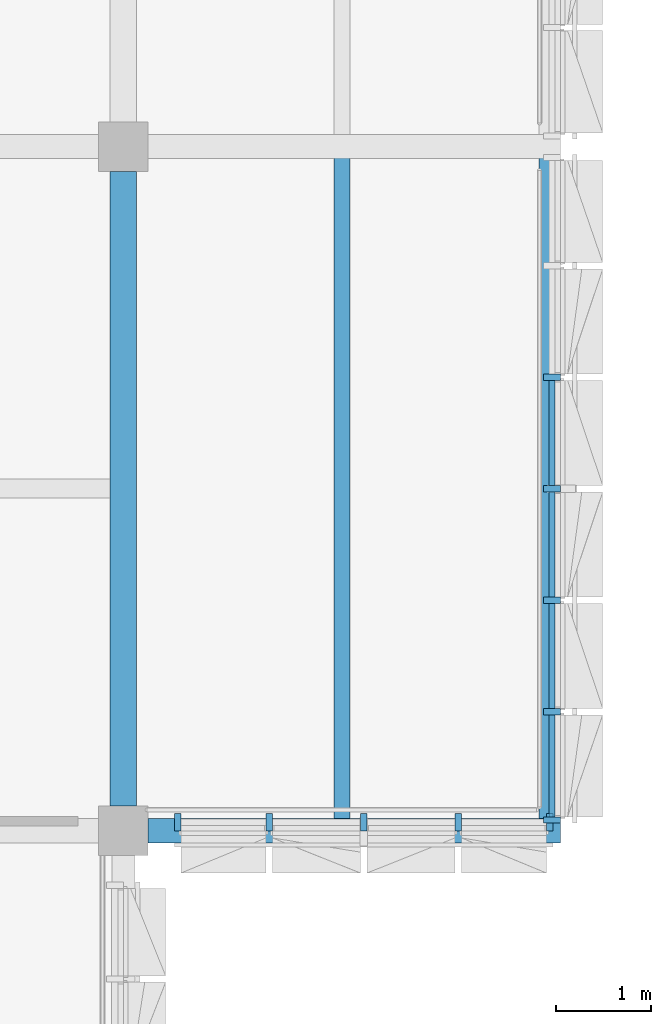
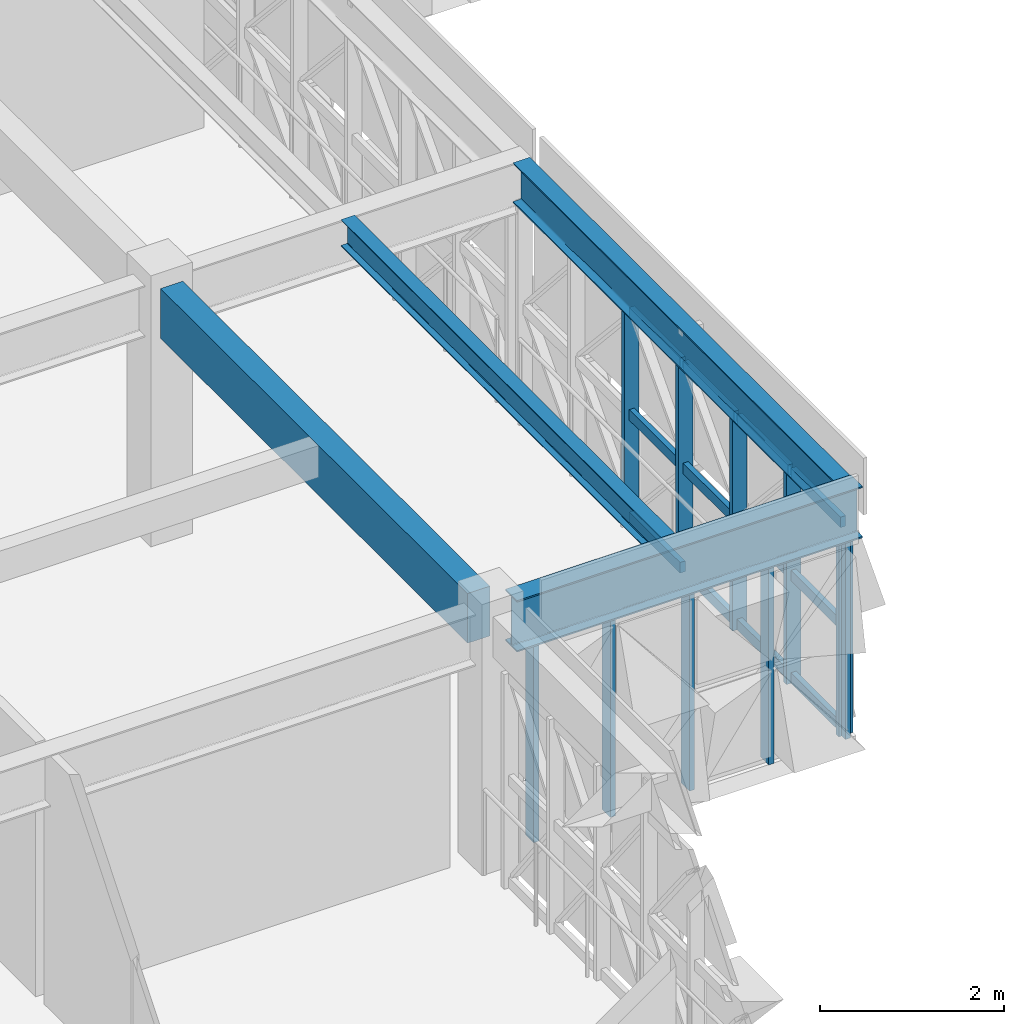
# One storey, part 4 of 48: 22 members, 4 beams, 2 elements without a shape of their own.
"""IFC4 building model written with IfcOpenShell, lengths in metres."""

from ifc_helpers import new_model, si_unit, direction, frame, origin, origin_2d, place, context, subcontext, project, spatial, rectangle, i_section, extrude, material, material_profile, profile_set, type_object, element, aggregate, save


model = new_model("IFC4")

# Units and contexts
model_context = context("Model", 3, precision=1e-05, world=origin(), true_north=direction((0.0, 1.0)))
body_context = subcontext(model_context, "Body", "Model", "MODEL_VIEW")
ifc_project = project(units=[si_unit("LENGTHUNIT", "METRE"), si_unit("AREAUNIT", "SQUARE_METRE"), si_unit("VOLUMEUNIT", "CUBIC_METRE"), si_unit("PLANEANGLEUNIT", "RADIAN"), si_unit("MASSUNIT", "GRAM", prefix="KILO")], contexts=[model_context])

# Site, building, storey
site_placement = place(None, origin())
site = spatial("IfcSite", under=ifc_project, at=site_placement, CompositionType="ELEMENT")
building_placement = place(site_placement, origin())
building = spatial("IfcBuilding", under=site, at=building_placement, Name="Alvorim Cloister Faculty of Sciences", CompositionType="ELEMENT")
storey_placement = place(building_placement, frame((0.0, 0.0, 19.35009765625)))
storey = spatial("IfcBuildingStorey", under=building, at=storey_placement, Name="L05", CompositionType="ELEMENT", Elevation=19.35009765625)

# Beams
ifc_material_1 = material(Name="Glulam GL28h", Category="wood")
ifc_material_profile_1 = material_profile(ifc_material_1, rectangle(XDim=0.280029296875, YDim=0.659912109375, at=origin_2d()), Name="GL28-BM-280x660")
ifc_profile_set_1 = profile_set([ifc_material_profile_1], Name="Glulam GL28h")
beam_type_1 = type_object("IfcBeamType", Name="BM-GL-280x660", PredefinedType="BEAM", material=ifc_profile_set_1)
beam_1_placement = place(storey_placement, frame((28.800048828125, 29.06005859375, 3.059814453125), z_axis=(0.0, 1.0, 0.0), x_axis=(-1.0, 0.0, 0.0)))
element("IfcBeam", 1, at=beam_1_placement, inside=storey, type_object=beam_type_1, Name="L05 Primary Girder BM-2004", PredefinedType="BEAM", context=body_context, shape_type="SweptSolid", body=[
    extrude(rectangle(XDim=0.280029296875, YDim=0.659912109375, at=origin_2d()), origin(), (0.0, 0.0, 1.0), 6.679931640625),
])
ifc_material_2 = material(Name="Steel ASTM A572 Grade 50", Category="steel")
ifc_material_profile_2 = material_profile(ifc_material_2, i_section(OverallWidth=0.1708984375, OverallDepth=0.35498046875, WebThickness=0.007080078125, FlangeThickness=0.01171875, FilletRadius=0.012939453125, at=origin_2d()), Name="W360x51.0")
ifc_profile_set_2 = profile_set([ifc_material_profile_2], Name="Steel ASTM A572 Grade 50")
beam_type_2 = type_object("IfcBeamType", Name="BM-STL-W360", PredefinedType="JOIST", material=ifc_profile_set_2)
beam_2_placement = place(storey_placement, frame((31.10009765625, 28.909912109375, 3.21240234375), z_axis=(0.0, 1.0, 0.0), x_axis=(-1.0, 0.0, 0.0)))
element("IfcBeam", 2, at=beam_2_placement, inside=storey, type_object=beam_type_2, Name="L05 Cantilever Deck Joist BM-0148", PredefinedType="JOIST", context=body_context, shape_type="SweptSolid", body=[
    extrude(i_section(OverallWidth=0.1708984375, OverallDepth=0.35498046875, WebThickness=0.007080078125, FlangeThickness=0.01171875, FilletRadius=0.012939453125, at=origin_2d()), origin(), (0.0, 0.0, 1.0), 6.97998046875),
])
ifc_material_profile_3 = material_profile(ifc_material_2, i_section(OverallWidth=0.208984375, OverallDepth=0.532958984375, WebThickness=0.01025390625, FlangeThickness=0.015625, FilletRadius=0.01611328125, at=origin_2d()), Name="W530x92.0")
ifc_profile_set_3 = profile_set([ifc_material_profile_3], Name="Steel ASTM A572 Grade 50")
beam_type_3 = type_object("IfcBeamType", Name="BM-STL-W530", PredefinedType="BEAM", material=ifc_profile_set_3)
beam_3_placement = place(storey_placement, frame((33.280029296875, 28.909912109375, 3.123291015625), z_axis=(0.0, 1.0, 0.0), x_axis=(-1.0, 0.0, 0.0)))
element("IfcBeam", 3, at=beam_3_placement, inside=storey, type_object=beam_type_3, Name="L05 Cantilever Tip Header Girder BM-0147", PredefinedType="BEAM", context=body_context, shape_type="SweptSolid", body=[
    extrude(i_section(OverallWidth=0.208984375, OverallDepth=0.532958984375, WebThickness=0.01025390625, FlangeThickness=0.015625, FilletRadius=0.01611328125, at=origin_2d()), origin(), (0.0, 0.0, 1.0), 6.97998046875),
])
ifc_material_profile_4 = material_profile(ifc_material_2, i_section(OverallWidth=0.25390625, OverallDepth=0.68408203125, WebThickness=0.012451171875, FlangeThickness=0.01904296875, FilletRadius=0.01904296875, at=origin_2d()), Name="W690x140.0")
ifc_profile_set_4 = profile_set([ifc_material_profile_4], Name="Steel ASTM A572 Grade 50")
beam_type_4 = type_object("IfcBeamType", Name="BM-STL-W690", PredefinedType="BEAM", material=ifc_profile_set_4)
beam_4_placement = place(storey_placement, frame((29.06005859375, 28.800048828125, 3.0478515625), z_axis=(1.0, 0.0, 0.0), x_axis=(0.0, 1.0, 0.0)))
element("IfcBeam", 4, at=beam_4_placement, inside=storey, type_object=beam_type_4, Name="L05 Cantilever Overhang Girder BM-0142", PredefinedType="BEAM", context=body_context, shape_type="SweptSolid", body=[
    extrude(i_section(OverallWidth=0.25390625, OverallDepth=0.68408203125, WebThickness=0.012451171875, FlangeThickness=0.01904296875, FilletRadius=0.01904296875, at=origin_2d()), origin(), (0.0, 0.0, 1.0), 4.33984375),
])

# Curtain wall, members
ifc_material_3 = material(Name="Aluminium and Low-E Glass Curtain Wall", Category="aluminium")
curtain_wall_type_1 = type_object("IfcCurtainWallType", Name="CW-TRI-7040x2857", PredefinedType="USERDEFINED", material=ifc_material_3)
curtain_wall_1_placement = place(storey_placement, origin())
curtain_wall_1 = element("IfcCurtainWall", 5, at=curtain_wall_1_placement, inside=storey, type_object=curtain_wall_type_1, Name="L05 Diagonal Cassette Curtain Wall CW-0233", ObjectType="UNITISED CURTAIN WALL", PredefinedType="USERDEFINED")
ifc_material_4 = material(Name="Aluminium Alloy 6063-T6", Category="aluminium")
ifc_material_profile_5 = material_profile(ifc_material_4, rectangle(XDim=0.06494140625, YDim=0.179931640625, at=origin_2d()), Name="ALU-MUL-65x180")
ifc_profile_set_5 = profile_set([ifc_material_profile_5], Name="Aluminium Alloy 6063-T6")
member_type_1 = type_object("IfcMemberType", Name="CW-MUL-65x180", PredefinedType="MULLION", material=ifc_profile_set_5)
member_1_placement = place(storey_placement, frame((33.31005859375, 28.91259765625, 0.0), z_axis=(0.0, 0.0, 1.0), x_axis=(0.0, 1.0, 0.0)))
member_1 = element("IfcMember", 6, at=member_1_placement, type_object=member_type_1, Name="CW-0233 Mullion 1", PredefinedType="MULLION", context=body_context, shape_type="SweptSolid", body=[
    extrude(rectangle(XDim=0.06494140625, YDim=0.179931640625, at=origin_2d()), origin(), (0.0, 0.0, 1.0), 2.85693359375),
])
member_2_placement = place(storey_placement, frame((33.31005859375, 30.05322265625, 0.0), z_axis=(0.0, 0.0, 1.0), x_axis=(0.0, 1.0, 0.0)))
member_2 = element("IfcMember", 7, at=member_2_placement, type_object=member_type_1, Name="CW-0233 Mullion 2", PredefinedType="MULLION", context=body_context, shape_type="SweptSolid", body=[
    extrude(rectangle(XDim=0.06494140625, YDim=0.179931640625, at=origin_2d()), origin(), (0.0, 0.0, 1.0), 2.85693359375),
])
member_3_placement = place(storey_placement, frame((33.31005859375, 31.226806640625, 0.0), z_axis=(0.0, 0.0, 1.0), x_axis=(0.0, 1.0, 0.0)))
member_3 = element("IfcMember", 8, at=member_3_placement, type_object=member_type_1, Name="CW-0233 Mullion 3", PredefinedType="MULLION", context=body_context, shape_type="SweptSolid", body=[
    extrude(rectangle(XDim=0.06494140625, YDim=0.179931640625, at=origin_2d()), origin(), (0.0, 0.0, 1.0), 2.85693359375),
])
member_4_placement = place(storey_placement, frame((33.31005859375, 32.39990234375, 0.0), z_axis=(0.0, 0.0, 1.0), x_axis=(0.0, 1.0, 0.0)))
member_4 = element("IfcMember", 9, at=member_4_placement, type_object=member_type_1, Name="CW-0233 Mullion 4", PredefinedType="MULLION", context=body_context, shape_type="SweptSolid", body=[
    extrude(rectangle(XDim=0.06494140625, YDim=0.179931640625, at=origin_2d()), origin(), (0.0, 0.0, 1.0), 2.85693359375),
])
member_5_placement = place(storey_placement, frame((33.31005859375, 33.5732421875, 0.0), z_axis=(0.0, 0.0, 1.0), x_axis=(0.0, 1.0, 0.0)))
member_5 = element("IfcMember", 10, at=member_5_placement, type_object=member_type_1, Name="CW-0233 Mullion 5", PredefinedType="MULLION", context=body_context, shape_type="SweptSolid", body=[
    extrude(rectangle(XDim=0.06494140625, YDim=0.179931640625, at=origin_2d()), origin(), (0.0, 0.0, 1.0), 2.85693359375),
])

curtain_wall_type_2 = type_object("IfcCurtainWallType", Name="CW-TRI-3980x2706", PredefinedType="USERDEFINED", material=ifc_material_3)
curtain_wall_2_placement = place(storey_placement, origin())
curtain_wall_2 = element("IfcCurtainWall", 11, at=curtain_wall_2_placement, inside=storey, type_object=curtain_wall_type_2, Name="L05 Diagonal Cassette Curtain Wall CW-0234", ObjectType="UNITISED CURTAIN WALL", PredefinedType="USERDEFINED")
member_6_placement = place(storey_placement, frame((29.37255859375, 28.889892578125, 0.0), z_axis=(0.0, 0.0, 1.0), x_axis=(1.0, 0.0, 0.0)))
member_6 = element("IfcMember", 12, at=member_6_placement, type_object=member_type_1, Name="CW-0234 Mullion 1", PredefinedType="MULLION", context=body_context, shape_type="SweptSolid", body=[
    extrude(rectangle(XDim=0.06494140625, YDim=0.179931640625, at=origin_2d()), origin(), (0.0, 0.0, 1.0), 2.705810546875),
])
member_7_placement = place(storey_placement, frame((30.3349609375, 28.889892578125, 0.0), z_axis=(0.0, 0.0, 1.0), x_axis=(1.0, 0.0, 0.0)))
member_7 = element("IfcMember", 13, at=member_7_placement, type_object=member_type_1, Name="CW-0234 Mullion 2", PredefinedType="MULLION", context=body_context, shape_type="SweptSolid", body=[
    extrude(rectangle(XDim=0.06494140625, YDim=0.179931640625, at=origin_2d()), origin(), (0.0, 0.0, 1.0), 2.705810546875),
])
member_8_placement = place(storey_placement, frame((31.330078125, 28.889892578125, 0.0), z_axis=(0.0, 0.0, 1.0), x_axis=(1.0, 0.0, 0.0)))
member_8 = element("IfcMember", 14, at=member_8_placement, type_object=member_type_1, Name="CW-0234 Mullion 3", PredefinedType="MULLION", context=body_context, shape_type="SweptSolid", body=[
    extrude(rectangle(XDim=0.06494140625, YDim=0.179931640625, at=origin_2d()), origin(), (0.0, 0.0, 1.0), 2.705810546875),
])
member_9_placement = place(storey_placement, frame((32.324951171875, 28.889892578125, 0.0), z_axis=(0.0, 0.0, 1.0), x_axis=(1.0, 0.0, 0.0)))
member_9 = element("IfcMember", 15, at=member_9_placement, type_object=member_type_1, Name="CW-0234 Mullion 4", PredefinedType="MULLION", context=body_context, shape_type="SweptSolid", body=[
    extrude(rectangle(XDim=0.06494140625, YDim=0.179931640625, at=origin_2d()), origin(), (0.0, 0.0, 1.0), 2.705810546875),
])
member_10_placement = place(storey_placement, frame((33.28759765625, 28.889892578125, 0.0), z_axis=(0.0, 0.0, 1.0), x_axis=(1.0, 0.0, 0.0)))
member_10 = element("IfcMember", 16, at=member_10_placement, type_object=member_type_1, Name="CW-0234 Mullion 5", PredefinedType="MULLION", context=body_context, shape_type="SweptSolid", body=[
    extrude(rectangle(XDim=0.06494140625, YDim=0.179931640625, at=origin_2d()), origin(), (0.0, 0.0, 1.0), 2.705810546875),
])
aggregate(curtain_wall_2, [member_6, member_7, member_8, member_9, member_10])

# Member
ifc_material_profile_6 = material_profile(ifc_material_4, rectangle(XDim=0.06494140625, YDim=0.139892578125, at=origin_2d()), Name="ALU-TRN-65x140")
ifc_profile_set_6 = profile_set([ifc_material_profile_6], Name="Aluminium Alloy 6063-T6")
member_type_2 = type_object("IfcMemberType", Name="CW-TRN-65x140", PredefinedType="USERDEFINED", material=ifc_profile_set_6)
member_11_placement = place(storey_placement, frame((33.31005859375, 28.945068359375, 0.06982421875), z_axis=(0.0, 1.0, 0.0), x_axis=(-1.0, 0.0, 0.0)))
member_11 = element("IfcMember", 17, at=member_11_placement, type_object=member_type_2, Name="CW-0233 Transom 1.1", ObjectType="TRANSOM", PredefinedType="USERDEFINED", context=body_context, shape_type="SweptSolid", body=[
    extrude(rectangle(XDim=0.06494140625, YDim=0.139892578125, at=origin_2d()), origin(), (0.0, 0.0, 1.0), 1.07568359375),
])

member_12_placement = place(storey_placement, frame((33.31005859375, 28.945068359375, 1.428466796875), z_axis=(0.0, 1.0, 0.0), x_axis=(-1.0, 0.0, 0.0)))
member_12 = element("IfcMember", 18, at=member_12_placement, type_object=member_type_2, Name="CW-0233 Transom 1.2", ObjectType="TRANSOM", PredefinedType="USERDEFINED", context=body_context, shape_type="SweptSolid", body=[
    extrude(rectangle(XDim=0.06494140625, YDim=0.139892578125, at=origin_2d()), origin(), (0.0, 0.0, 1.0), 1.07568359375),
])

member_13_placement = place(storey_placement, frame((33.31005859375, 28.945068359375, 2.786865234375), z_axis=(0.0, 1.0, 0.0), x_axis=(-1.0, 0.0, 0.0)))
member_13 = element("IfcMember", 19, at=member_13_placement, type_object=member_type_2, Name="CW-0233 Transom 1.3", ObjectType="TRANSOM", PredefinedType="USERDEFINED", context=body_context, shape_type="SweptSolid", body=[
    extrude(rectangle(XDim=0.06494140625, YDim=0.139892578125, at=origin_2d()), origin(), (0.0, 0.0, 1.0), 1.07568359375),
])

member_14_placement = place(storey_placement, frame((33.31005859375, 30.0859375, 0.06982421875), z_axis=(0.0, 1.0, 0.0), x_axis=(-1.0, 0.0, 0.0)))
member_14 = element("IfcMember", 20, at=member_14_placement, type_object=member_type_2, Name="CW-0233 Transom 2.1", ObjectType="TRANSOM", PredefinedType="USERDEFINED", context=body_context, shape_type="SweptSolid", body=[
    extrude(rectangle(XDim=0.06494140625, YDim=0.139892578125, at=origin_2d()), origin(), (0.0, 0.0, 1.0), 1.108154296875),
])

member_15_placement = place(storey_placement, frame((33.31005859375, 30.0859375, 1.428466796875), z_axis=(0.0, 1.0, 0.0), x_axis=(-1.0, 0.0, 0.0)))
member_15 = element("IfcMember", 21, at=member_15_placement, type_object=member_type_2, Name="CW-0233 Transom 2.2", ObjectType="TRANSOM", PredefinedType="USERDEFINED", context=body_context, shape_type="SweptSolid", body=[
    extrude(rectangle(XDim=0.06494140625, YDim=0.139892578125, at=origin_2d()), origin(), (0.0, 0.0, 1.0), 1.108154296875),
])

member_16_placement = place(storey_placement, frame((33.31005859375, 30.0859375, 2.786865234375), z_axis=(0.0, 1.0, 0.0), x_axis=(-1.0, 0.0, 0.0)))
member_16 = element("IfcMember", 22, at=member_16_placement, type_object=member_type_2, Name="CW-0233 Transom 2.3", ObjectType="TRANSOM", PredefinedType="USERDEFINED", context=body_context, shape_type="SweptSolid", body=[
    extrude(rectangle(XDim=0.06494140625, YDim=0.139892578125, at=origin_2d()), origin(), (0.0, 0.0, 1.0), 1.108154296875),
])

member_17_placement = place(storey_placement, frame((33.31005859375, 31.25927734375, 0.06982421875), z_axis=(0.0, 1.0, 0.0), x_axis=(-1.0, 0.0, 0.0)))
member_17 = element("IfcMember", 23, at=member_17_placement, type_object=member_type_2, Name="CW-0233 Transom 3.1", ObjectType="TRANSOM", PredefinedType="USERDEFINED", context=body_context, shape_type="SweptSolid", body=[
    extrude(rectangle(XDim=0.06494140625, YDim=0.139892578125, at=origin_2d()), origin(), (0.0, 0.0, 1.0), 1.108154296875),
])

member_18_placement = place(storey_placement, frame((33.31005859375, 31.25927734375, 1.428466796875), z_axis=(0.0, 1.0, 0.0), x_axis=(-1.0, 0.0, 0.0)))
member_18 = element("IfcMember", 24, at=member_18_placement, type_object=member_type_2, Name="CW-0233 Transom 3.2", ObjectType="TRANSOM", PredefinedType="USERDEFINED", context=body_context, shape_type="SweptSolid", body=[
    extrude(rectangle(XDim=0.06494140625, YDim=0.139892578125, at=origin_2d()), origin(), (0.0, 0.0, 1.0), 1.108154296875),
])

member_19_placement = place(storey_placement, frame((33.31005859375, 31.25927734375, 2.786865234375), z_axis=(0.0, 1.0, 0.0), x_axis=(-1.0, 0.0, 0.0)))
member_19 = element("IfcMember", 25, at=member_19_placement, type_object=member_type_2, Name="CW-0233 Transom 3.3", ObjectType="TRANSOM", PredefinedType="USERDEFINED", context=body_context, shape_type="SweptSolid", body=[
    extrude(rectangle(XDim=0.06494140625, YDim=0.139892578125, at=origin_2d()), origin(), (0.0, 0.0, 1.0), 1.108154296875),
])

member_20_placement = place(storey_placement, frame((33.31005859375, 32.4326171875, 0.06982421875), z_axis=(0.0, 1.0, 0.0), x_axis=(-1.0, 0.0, 0.0)))
member_20 = element("IfcMember", 26, at=member_20_placement, type_object=member_type_2, Name="CW-0233 Transom 4.1", ObjectType="TRANSOM", PredefinedType="USERDEFINED", context=body_context, shape_type="SweptSolid", body=[
    extrude(rectangle(XDim=0.06494140625, YDim=0.139892578125, at=origin_2d()), origin(), (0.0, 0.0, 1.0), 1.108154296875),
])

member_21_placement = place(storey_placement, frame((33.31005859375, 32.4326171875, 1.428466796875), z_axis=(0.0, 1.0, 0.0), x_axis=(-1.0, 0.0, 0.0)))
member_21 = element("IfcMember", 27, at=member_21_placement, type_object=member_type_2, Name="CW-0233 Transom 4.2", ObjectType="TRANSOM", PredefinedType="USERDEFINED", context=body_context, shape_type="SweptSolid", body=[
    extrude(rectangle(XDim=0.06494140625, YDim=0.139892578125, at=origin_2d()), origin(), (0.0, 0.0, 1.0), 1.108154296875),
])

member_22_placement = place(storey_placement, frame((33.31005859375, 32.4326171875, 2.786865234375), z_axis=(0.0, 1.0, 0.0), x_axis=(-1.0, 0.0, 0.0)))
member_22 = element("IfcMember", 28, at=member_22_placement, type_object=member_type_2, Name="CW-0233 Transom 4.3", ObjectType="TRANSOM", PredefinedType="USERDEFINED", context=body_context, shape_type="SweptSolid", body=[
    extrude(rectangle(XDim=0.06494140625, YDim=0.139892578125, at=origin_2d()), origin(), (0.0, 0.0, 1.0), 1.108154296875),
])

aggregate(curtain_wall_1, [member_1, member_2, member_3, member_4, member_5, member_11, member_12, member_13, member_14, member_15, member_16, member_17, member_18, member_19, member_20, member_21, member_22])

save(model, "model.ifc")
